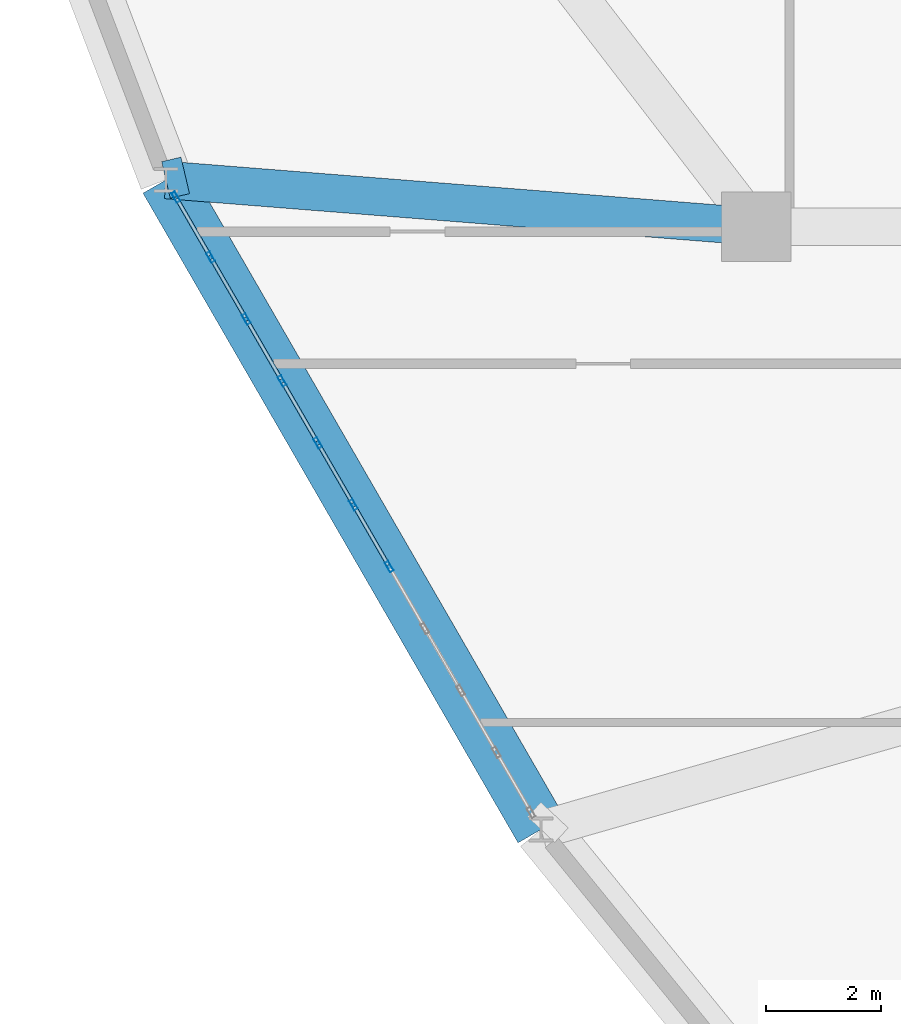
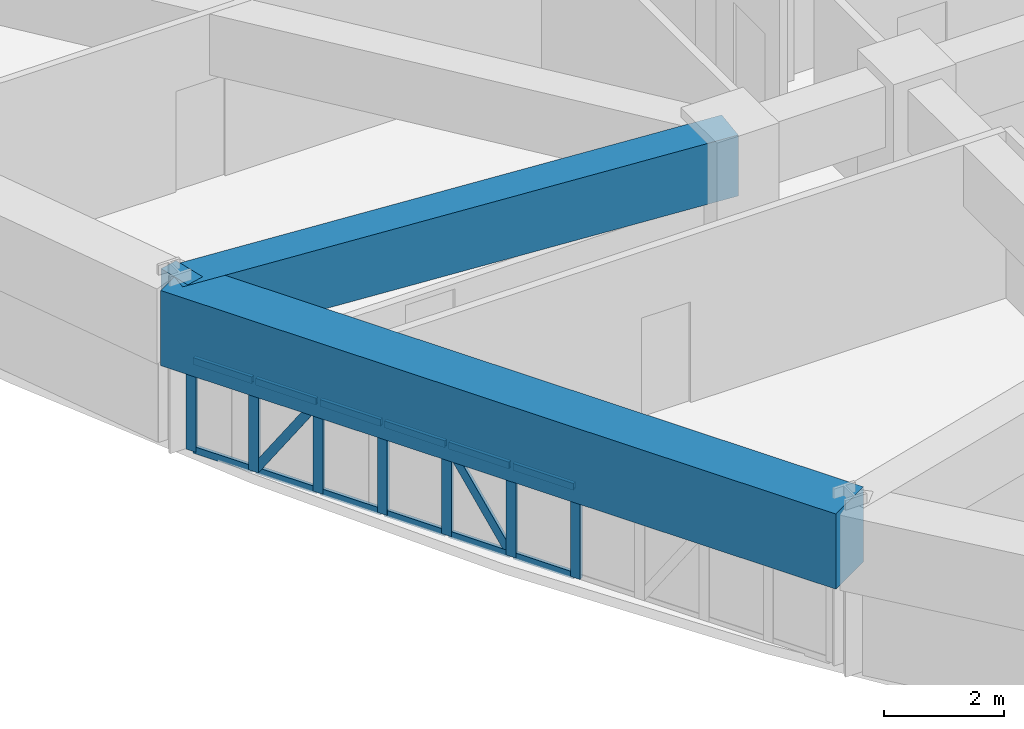
# One storey, part 4 of 13: 21 members, 3 beams, 1 element without a shape of its own.
"""IFC4 building model written with IfcOpenShell, lengths in metres."""

from ifc_helpers import new_model, si_unit, derived_unit, direction, frame, origin, origin_2d, place, context, subcontext, project, spatial, rectangle, hollow_rectangle, extrude, source, transform, mapped, material, layer, layer_set, material_profile, profile_set, type_object, element, aggregate, save


model = new_model("IFC4")

# Units and contexts
model_context = context("Model", 3, precision=1e-05, world=origin(), true_north=direction((0.0, 1.0)))
body_context = subcontext(model_context, "Body", "Model", "MODEL_VIEW")
ifc_project = project(units=[si_unit("LENGTHUNIT", "METRE"), si_unit("AREAUNIT", "SQUARE_METRE"), si_unit("VOLUMEUNIT", "CUBIC_METRE"), si_unit("PLANEANGLEUNIT", "RADIAN"), si_unit("MASSUNIT", "GRAM", prefix="KILO"), derived_unit("THERMALTRANSMITTANCEUNIT", [(si_unit("POWERUNIT", "WATT"), 1), (si_unit("LENGTHUNIT", "METRE"), -2), (si_unit("THERMODYNAMICTEMPERATUREUNIT", "KELVIN"), -1)])], contexts=[model_context])

# Site, building, storey
site_placement = place(None, origin())
site = spatial("IfcSite", under=ifc_project, at=site_placement, CompositionType="ELEMENT")
building_placement = place(site_placement, origin())
building = spatial("IfcBuilding", under=site, at=building_placement, Name="Korsvarv Bourse and Concert Hall", CompositionType="ELEMENT")
storey_placement = place(building_placement, frame((0.0, 0.0, 154.199951171875)))
storey = spatial("IfcBuildingStorey", under=building, at=storey_placement, Name="L39", CompositionType="ELEMENT", Elevation=154.199951171875)

# Beams
ifc_material_1 = material(Name="Concrete C50/60", Category="concrete")
ifc_material_profile_1 = material_profile(ifc_material_1, rectangle(XDim=0.919921875, YDim=1.530029296875, at=origin_2d()), Name="RC-BM 920x1530")
ifc_profile_set_1 = profile_set([ifc_material_profile_1], Name="Concrete C50/60")
beam_type_1 = type_object("IfcBeamType", Name="BM-TR-154", PredefinedType="BEAM", material=ifc_profile_set_1)
shared_shape_1 = source(origin(), body_context, "Body", "SweptSolid", [
    extrude(rectangle(XDim=0.919921875, YDim=1.530029296875, at=origin_2d()), origin(), (0.0, 0.0, 1.0), 13.001708984375),
])
beam_1_placement = place(storey_placement, frame((13.96875, 33.211669921875, 2.635009765625), z_axis=(0.499994445327, -0.866028610752, 0.0), x_axis=(0.866028610752, 0.499994445327, 0.0)))
element("IfcBeam", 1, at=beam_1_placement, inside=storey, type_object=beam_type_1, Name="L39 beam B-TR6", PredefinedType="BEAM", context=body_context, shape_type="MappedRepresentation", body=[
    mapped(shared_shape_1, transform((0.0, 0.0, 0.0), scale=1.0)),
])
ifc_material_profile_2 = material_profile(ifc_material_1, rectangle(XDim=0.64990234375, YDim=1.239990234375, at=origin_2d()), Name="RC-BM 650x1240")
ifc_profile_set_2 = profile_set([ifc_material_profile_2], Name="Concrete C50/60")
beam_type_2 = type_object("IfcBeamType", Name="BM-TR-SPN", PredefinedType="BEAM", material=ifc_profile_set_2)
shared_shape_2 = source(origin(), body_context, "Body", "SweptSolid", [
    extrude(rectangle(XDim=0.64990234375, YDim=1.239990234375, at=origin_2d()), origin(), (0.0, 0.0, 1.0), 10.263427734375),
])
beam_2_placement = place(storey_placement, frame((13.96875, 33.211669921875, 2.780029296875), z_axis=(0.996867179073, -0.079093787921, 0.0), x_axis=(0.079093787921, 0.996867179073, 0.0)))
element("IfcBeam", 2, at=beam_2_placement, inside=storey, type_object=beam_type_2, Name="L39 beam B-TRS", PredefinedType="BEAM", context=body_context, shape_type="MappedRepresentation", body=[
    mapped(shared_shape_2, transform((0.0, 0.0, 0.0), scale=1.0)),
])
shared_shape_3 = source(origin(), body_context, "Body", "SweptSolid", [
    extrude(rectangle(XDim=0.64990234375, YDim=1.239990234375, at=origin_2d()), origin(), (0.0, 0.0, 1.0), 0.343505859375),
])
beam_3_placement = place(storey_placement, frame((13.96875, 33.211669921875, 2.780029296875), z_axis=(0.973631110919, 0.228128165405, 0.0), x_axis=(-0.228128165405, 0.973631110919, 0.0)))
element("IfcBeam", 3, at=beam_3_placement, inside=storey, type_object=beam_type_2, Name="L39 beam B-TRS", PredefinedType="BEAM", context=body_context, shape_type="MappedRepresentation", body=[
    mapped(shared_shape_3, transform((0.0, 0.0, 0.0), scale=1.0)),
])

# Curtain wall, members
ifc_material_2 = material(Name="Anodised aluminium and triple low-E glazing", Category="glass")
ifc_layer = layer(ifc_material_2, 0.2099609375)
ifc_layer_set = layer_set([ifc_layer], Name="Anodised aluminium and triple low-E glazing")
curtain_wall_type = type_object("IfcCurtainWallType", Name="CW-SYS-2", PredefinedType="NOTDEFINED", material=ifc_layer_set)
curtain_wall_placement = place(storey_placement, origin())
curtain_wall = element("IfcCurtainWall", 4, at=curtain_wall_placement, inside=storey, type_object=curtain_wall_type, Name="L39 CW2 curtain wall CW-L39-F07", PredefinedType="NOTDEFINED")
ifc_material_3 = material(Name="Extruded aluminium EN AW-6063 T66", Category="aluminium")
ifc_material_profile_3 = material_profile(ifc_material_3, hollow_rectangle(XDim=0.070068359375, YDim=0.18994140625, WallThickness=0.0048828125, at=origin_2d()), Name="ALU-M 70x190")
ifc_profile_set_3 = profile_set([ifc_material_profile_3], Name="Extruded aluminium EN AW-6063 T66")
member_type_1 = type_object("IfcMemberType", Name="CWM-190", PredefinedType="MULLION", material=ifc_profile_set_3)
shared_shape_4 = source(origin(), body_context, "Body", "SweptSolid", [
    extrude(hollow_rectangle(XDim=0.070068359375, YDim=0.18994140625, WallThickness=0.0048828125, at=origin_2d()), origin(), (0.0, 0.0, 1.0), 1.8701171875),
])
member_1_placement = place(storey_placement, frame((14.140625, 32.913818359375, 0.0), z_axis=(0.0, 0.0, 1.0), x_axis=(0.866022202013, 0.500005545591, 0.0)))
member_1 = element("IfcMember", 5, at=member_1_placement, type_object=member_type_1, Name="CW2 mullion 1", PredefinedType="MULLION", context=body_context, shape_type="MappedRepresentation", body=[
    mapped(shared_shape_4, transform((0.0, 0.0, 0.0), scale=1.0)),
])
member_2_placement = place(storey_placement, frame((14.742431640625, 31.87158203125, 0.0), z_axis=(0.0, 0.0, 1.0), x_axis=(0.866022202013, 0.500005545591, 0.0)))
member_2 = element("IfcMember", 6, at=member_2_placement, type_object=member_type_1, Name="CW2 mullion 2", PredefinedType="MULLION", context=body_context, shape_type="MappedRepresentation", body=[
    mapped(shared_shape_4, transform((0.0, 0.0, 0.0), scale=1.0)),
])
member_3_placement = place(storey_placement, frame((15.361572265625, 30.799072265625, 0.0), z_axis=(0.0, 0.0, 1.0), x_axis=(0.866022202013, 0.500005545591, 0.0)))
member_3 = element("IfcMember", 7, at=member_3_placement, type_object=member_type_1, Name="CW2 mullion 3", PredefinedType="MULLION", context=body_context, shape_type="MappedRepresentation", body=[
    mapped(shared_shape_4, transform((0.0, 0.0, 0.0), scale=1.0)),
])
member_4_placement = place(storey_placement, frame((15.980712890625, 29.726806640625, 0.0), z_axis=(0.0, 0.0, 1.0), x_axis=(0.866022202013, 0.500005545591, 0.0)))
member_4 = element("IfcMember", 8, at=member_4_placement, type_object=member_type_1, Name="CW2 mullion 4", PredefinedType="MULLION", context=body_context, shape_type="MappedRepresentation", body=[
    mapped(shared_shape_4, transform((0.0, 0.0, 0.0), scale=1.0)),
])
member_5_placement = place(storey_placement, frame((16.60009765625, 28.654296875, 0.0), z_axis=(0.0, 0.0, 1.0), x_axis=(0.866022202013, 0.500005545591, 0.0)))
member_5 = element("IfcMember", 9, at=member_5_placement, type_object=member_type_1, Name="CW2 mullion 5", PredefinedType="MULLION", context=body_context, shape_type="MappedRepresentation", body=[
    mapped(shared_shape_4, transform((0.0, 0.0, 0.0), scale=1.0)),
])
member_6_placement = place(storey_placement, frame((17.21923828125, 27.581787109375, 0.0), z_axis=(0.0, 0.0, 1.0), x_axis=(0.866022202013, 0.500005545591, 0.0)))
member_6 = element("IfcMember", 10, at=member_6_placement, type_object=member_type_1, Name="CW2 mullion 6", PredefinedType="MULLION", context=body_context, shape_type="MappedRepresentation", body=[
    mapped(shared_shape_4, transform((0.0, 0.0, 0.0), scale=1.0)),
])
member_7_placement = place(storey_placement, frame((17.83837890625, 26.50927734375, 0.0), z_axis=(0.0, 0.0, 1.0), x_axis=(0.866022202013, 0.500005545591, 0.0)))
member_7 = element("IfcMember", 11, at=member_7_placement, type_object=member_type_1, Name="CW2 mullion 7", PredefinedType="MULLION", context=body_context, shape_type="MappedRepresentation", body=[
    mapped(shared_shape_4, transform((0.0, 0.0, 0.0), scale=1.0)),
])
ifc_material_profile_4 = material_profile(ifc_material_3, hollow_rectangle(XDim=0.06494140625, YDim=0.139892578125, WallThickness=0.00390625, at=origin_2d()), Name="ALU-T 65x140")
ifc_profile_set_4 = profile_set([ifc_material_profile_4], Name="Extruded aluminium EN AW-6063 T66")
member_type_2 = type_object("IfcMemberType", Name="CWT-140", PredefinedType="USERDEFINED", material=ifc_profile_set_4)
shared_shape_5 = source(origin(), body_context, "Body", "SweptSolid", [
    extrude(hollow_rectangle(XDim=0.06494140625, YDim=0.139892578125, WallThickness=0.00390625, at=origin_2d()), origin(), (0.0, 0.0, 1.0), 1.133544921875),
])
member_8_placement = place(storey_placement, frame((14.158203125, 32.883544921875, 0.032470703125), z_axis=(0.499915118794, -0.866074404425, 0.0), x_axis=(0.866074404425, 0.499915118794, 0.0)))
member_8 = element("IfcMember", 12, at=member_8_placement, type_object=member_type_2, Name="CW2 transom 1.1", ObjectType="TRANSOM", PredefinedType="USERDEFINED", context=body_context, shape_type="MappedRepresentation", body=[
    mapped(shared_shape_5, transform((0.0, 0.0, 0.0), scale=1.0)),
])
member_9_placement = place(storey_placement, frame((14.158203125, 32.883544921875, 1.837646484375), z_axis=(0.499915118794, -0.866074404425, 0.0), x_axis=(0.866074404425, 0.499915118794, 0.0)))
member_9 = element("IfcMember", 13, at=member_9_placement, type_object=member_type_2, Name="CW2 transom 1.2", ObjectType="TRANSOM", PredefinedType="USERDEFINED", context=body_context, shape_type="MappedRepresentation", body=[
    mapped(shared_shape_5, transform((0.0, 0.0, 0.0), scale=1.0)),
])
shared_shape_6 = source(origin(), body_context, "Body", "SweptSolid", [
    extrude(hollow_rectangle(XDim=0.06494140625, YDim=0.139892578125, WallThickness=0.00390625, at=origin_2d()), origin(), (0.0, 0.0, 1.0), 1.168212890625),
])
member_10_placement = place(storey_placement, frame((14.760009765625, 31.84130859375, 0.032470703125), z_axis=(0.499915430684, -0.866074224396, 0.0), x_axis=(0.866074224396, 0.499915430684, 0.0)))
member_10 = element("IfcMember", 14, at=member_10_placement, type_object=member_type_2, Name="CW2 transom 2.1", ObjectType="TRANSOM", PredefinedType="USERDEFINED", context=body_context, shape_type="MappedRepresentation", body=[
    mapped(shared_shape_6, transform((0.0, 0.0, 0.0), scale=1.0)),
])
member_11_placement = place(storey_placement, frame((14.760009765625, 31.84130859375, 1.837646484375), z_axis=(0.499915430684, -0.866074224396, 0.0), x_axis=(0.866074224396, 0.499915430684, 0.0)))
member_11 = element("IfcMember", 15, at=member_11_placement, type_object=member_type_2, Name="CW2 transom 2.2", ObjectType="TRANSOM", PredefinedType="USERDEFINED", context=body_context, shape_type="MappedRepresentation", body=[
    mapped(shared_shape_6, transform((0.0, 0.0, 0.0), scale=1.0)),
])
member_12_placement = place(storey_placement, frame((15.379150390625, 30.768798828125, 0.032470703125), z_axis=(0.500072169849, -0.865983732493, 0.0), x_axis=(0.865983732493, 0.500072169849, 0.0)))
member_12 = element("IfcMember", 16, at=member_12_placement, type_object=member_type_2, Name="CW2 transom 3.1", ObjectType="TRANSOM", PredefinedType="USERDEFINED", context=body_context, shape_type="MappedRepresentation", body=[
    mapped(shared_shape_6, transform((0.0, 0.0, 0.0), scale=1.0)),
])
member_13_placement = place(storey_placement, frame((15.379150390625, 30.768798828125, 1.837646484375), z_axis=(0.500072169849, -0.865983732493, 0.0), x_axis=(0.865983732493, 0.500072169849, 0.0)))
member_13 = element("IfcMember", 17, at=member_13_placement, type_object=member_type_2, Name="CW2 transom 3.2", ObjectType="TRANSOM", PredefinedType="USERDEFINED", context=body_context, shape_type="MappedRepresentation", body=[
    mapped(shared_shape_6, transform((0.0, 0.0, 0.0), scale=1.0)),
])
member_14_placement = place(storey_placement, frame((15.998291015625, 29.6962890625, 0.032470703125), z_axis=(0.500072169849, -0.865983732493, 0.0), x_axis=(0.865983732493, 0.500072169849, 0.0)))
member_14 = element("IfcMember", 18, at=member_14_placement, type_object=member_type_2, Name="CW2 transom 4.1", ObjectType="TRANSOM", PredefinedType="USERDEFINED", context=body_context, shape_type="MappedRepresentation", body=[
    mapped(shared_shape_6, transform((0.0, 0.0, 0.0), scale=1.0)),
])
member_15_placement = place(storey_placement, frame((15.998291015625, 29.6962890625, 1.837646484375), z_axis=(0.500072169849, -0.865983732493, 0.0), x_axis=(0.865983732493, 0.500072169849, 0.0)))
member_15 = element("IfcMember", 19, at=member_15_placement, type_object=member_type_2, Name="CW2 transom 4.2", ObjectType="TRANSOM", PredefinedType="USERDEFINED", context=body_context, shape_type="MappedRepresentation", body=[
    mapped(shared_shape_6, transform((0.0, 0.0, 0.0), scale=1.0)),
])
ifc_material_profile_5 = material_profile(ifc_material_3, hollow_rectangle(XDim=0.06494140625, YDim=0.1650390625, WallThickness=0.0048828125, at=origin_2d()), Name="ALU-M 65x165")
ifc_profile_set_5 = profile_set([ifc_material_profile_5], Name="Extruded aluminium EN AW-6063 T66")
member_type_3 = type_object("IfcMemberType", Name="CWM-165", PredefinedType="MULLION", material=ifc_profile_set_5)
shared_shape_7 = source(origin(), body_context, "Body", "SweptSolid", [
    extrude(hollow_rectangle(XDim=0.06494140625, YDim=0.1650390625, WallThickness=0.0048828125, at=origin_2d()), origin(), (0.0, 0.0, 1.0), 2.095703125),
])
member_16_placement = place(storey_placement, frame((14.760009765625, 31.84130859375, 0.06494140625), z_axis=(0.278651401548, -0.482747244153, 0.830246044662), x_axis=(0.866074224396, 0.499915430684, 0.0)))
member_16 = element("IfcMember", 20, at=member_16_placement, type_object=member_type_3, Name="CW2 diagonal mullion 2", PredefinedType="MULLION", context=body_context, shape_type="MappedRepresentation", body=[
    mapped(shared_shape_7, transform((0.0, 0.0, 0.0), scale=1.0)),
])
shared_shape_8 = source(origin(), body_context, "Body", "SweptSolid", [
    extrude(hollow_rectangle(XDim=0.06494140625, YDim=0.139892578125, WallThickness=0.00390625, at=origin_2d()), origin(), (0.0, 0.0, 1.0), 1.16845703125),
])
member_17_placement = place(storey_placement, frame((16.617431640625, 28.6240234375, 0.032470703125), z_axis=(0.499981686864, -0.86603597662, 0.0), x_axis=(0.86603597662, 0.499981686864, 0.0)))
member_17 = element("IfcMember", 21, at=member_17_placement, type_object=member_type_2, Name="CW2 transom 5.1", ObjectType="TRANSOM", PredefinedType="USERDEFINED", context=body_context, shape_type="MappedRepresentation", body=[
    mapped(shared_shape_8, transform((0.0, 0.0, 0.0), scale=1.0)),
])
member_18_placement = place(storey_placement, frame((16.617431640625, 28.6240234375, 1.837646484375), z_axis=(0.499981686864, -0.86603597662, 0.0), x_axis=(0.86603597662, 0.499981686864, 0.0)))
member_18 = element("IfcMember", 22, at=member_18_placement, type_object=member_type_2, Name="CW2 transom 5.2", ObjectType="TRANSOM", PredefinedType="USERDEFINED", context=body_context, shape_type="MappedRepresentation", body=[
    mapped(shared_shape_8, transform((0.0, 0.0, 0.0), scale=1.0)),
])
member_19_placement = place(storey_placement, frame((17.23681640625, 27.551513671875, 0.032470703125), z_axis=(0.499824957159, -0.866126441232, 0.0), x_axis=(0.866126441232, 0.499824957159, 0.0)))
member_19 = element("IfcMember", 23, at=member_19_placement, type_object=member_type_2, Name="CW2 transom 6.1", ObjectType="TRANSOM", PredefinedType="USERDEFINED", context=body_context, shape_type="MappedRepresentation", body=[
    mapped(shared_shape_8, transform((0.0, 0.0, 0.0), scale=1.0)),
])
member_20_placement = place(storey_placement, frame((17.23681640625, 27.551513671875, 1.837646484375), z_axis=(0.499824957159, -0.866126441232, 0.0), x_axis=(0.866126441232, 0.499824957159, 0.0)))
member_20 = element("IfcMember", 24, at=member_20_placement, type_object=member_type_2, Name="CW2 transom 6.2", ObjectType="TRANSOM", PredefinedType="USERDEFINED", context=body_context, shape_type="MappedRepresentation", body=[
    mapped(shared_shape_8, transform((0.0, 0.0, 0.0), scale=1.0)),
])
shared_shape_9 = source(origin(), body_context, "Body", "SweptSolid", [
    extrude(hollow_rectangle(XDim=0.06494140625, YDim=0.1650390625, WallThickness=0.0048828125, at=origin_2d()), origin(), (0.0, 0.0, 1.0), 2.095947265625),
])
member_21_placement = place(storey_placement, frame((17.20166015625, 27.612060546875, 0.06494140625), z_axis=(-0.278743168056, 0.482820907478, 0.830172402314), x_axis=(-0.86603597662, -0.499981686864, 0.0)))
member_21 = element("IfcMember", 25, at=member_21_placement, type_object=member_type_3, Name="CW2 diagonal mullion 5", PredefinedType="MULLION", context=body_context, shape_type="MappedRepresentation", body=[
    mapped(shared_shape_9, transform((0.0, 0.0, 0.0), scale=1.0)),
])
aggregate(curtain_wall, [member_1, member_2, member_3, member_4, member_5, member_6, member_7, member_8, member_9, member_10, member_11, member_16, member_12, member_13, member_14, member_15, member_17, member_18, member_21, member_19, member_20])

save(model, "model.ifc")
